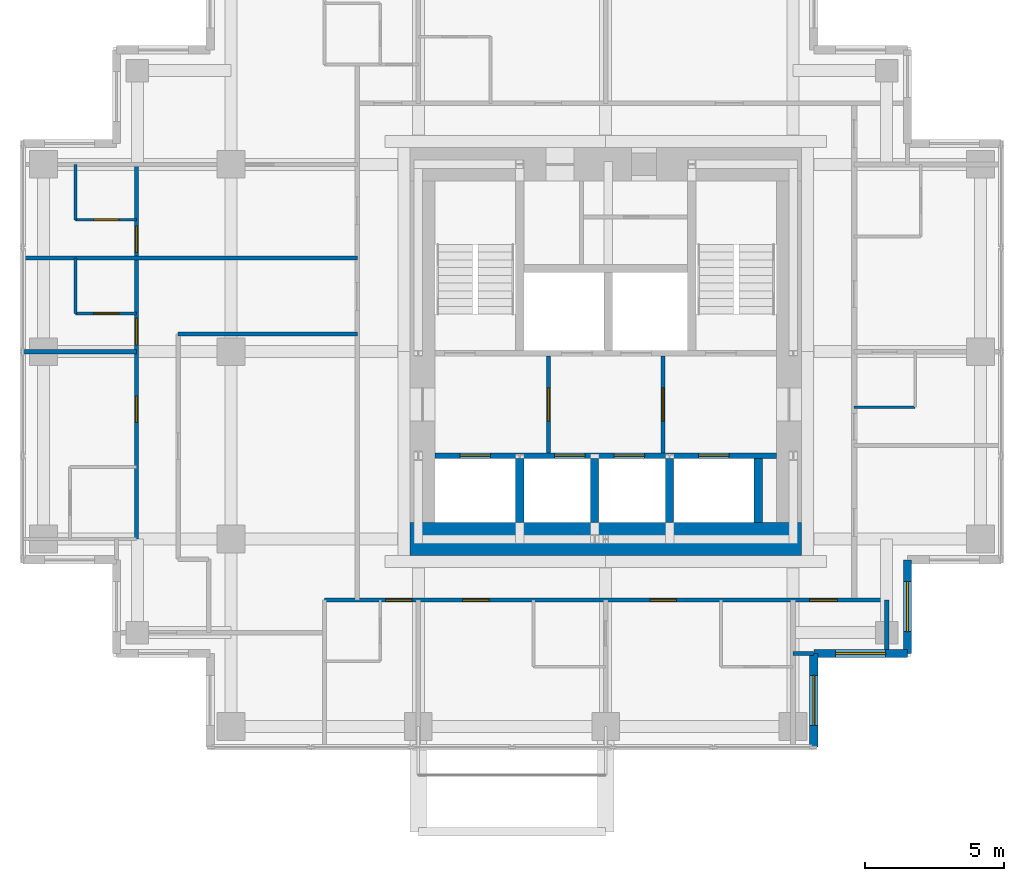
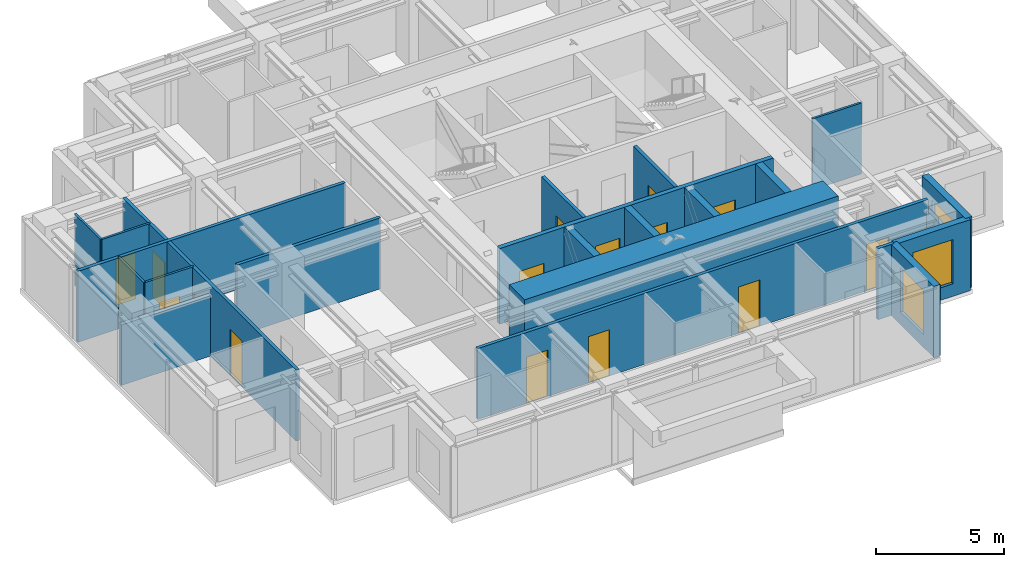
# One storey, part 4 of 8: 23 walls, 15 doors, 3 windows, 18 openings.
"""IFC4 building model written with IfcOpenShell, lengths in metres."""

from ifc_helpers import new_model, si_unit, direction, frame, frame_2d, origin, place, context, subcontext, project, spatial, rectangle, extrude, material, layer, layer_set, type_object, element, fill, save


model = new_model("IFC4")

# Units and contexts
model_context = context("Model", 3, precision=1e-05, world=origin(), true_north=direction((0.0, 1.0)))
body_context = subcontext(model_context, "Body", "Model", "MODEL_VIEW")
ifc_project = project(units=[si_unit("LENGTHUNIT", "METRE"), si_unit("AREAUNIT", "SQUARE_METRE"), si_unit("VOLUMEUNIT", "CUBIC_METRE"), si_unit("PLANEANGLEUNIT", "RADIAN"), si_unit("MASSUNIT", "GRAM", prefix="KILO")], contexts=[model_context])

# Site, building, storey
site_placement = place(None, origin())
site = spatial("IfcSite", under=ifc_project, at=site_placement, CompositionType="ELEMENT")
building_placement = place(site_placement, origin())
building = spatial("IfcBuilding", under=site, at=building_placement, Name="Nyansa Garden Tower", CompositionType="ELEMENT")
storey_placement = place(building_placement, frame((0.0, 0.0, 229.5)))
storey = spatial("IfcBuildingStorey", under=building, at=storey_placement, Name="L62", CompositionType="ELEMENT", Elevation=229.5)

# Wall
ifc_material_1 = material(Name="Dense blockwork, plastered both sides, 55 dB", Category="masonry")
ifc_layer_1 = layer(ifc_material_1, 0.175048828125)
ifc_layer_set_1 = layer_set([ifc_layer_1], Name="Acoustic party wall PW175")
wall_type_1 = type_object("IfcWallType", Name="Acoustic party wall PW175", PredefinedType="PARTITIONING", material=ifc_layer_set_1)
wall_1_placement = place(storey_placement, frame((-0.73388671875, 20.25, 0.0), z_axis=(0.0, 0.0, 1.0), x_axis=(1.0, 0.0, 0.0)))
element("IfcWall", 1, at=wall_1_placement, inside=storey, type_object=wall_type_1, Name="Party wall", PredefinedType="PARTITIONING", context=body_context, shape_type="SweptSolid", body=[
    extrude(rectangle(XDim=4.083984375, YDim=0.175048828125, at=frame_2d((2.0419921875, 0.0))), origin(), (0.0, 0.0, 1.0), 2.876953125),
])

# Wall, openings, doors
ifc_material_2 = material(Name="Concrete C70/85", Category="concrete")
ifc_layer_2 = layer(ifc_material_2, 0.199951171875)
ifc_layer_set_2 = layer_set([ifc_layer_2], Name="Core inner wall CI200")
wall_type_2 = type_object("IfcWallType", Name="Core inner wall CI200", PredefinedType="SHEAR", material=ifc_layer_set_2)
wall_2_placement = place(storey_placement, frame((14.10009765625, 16.5, 0.0), z_axis=(0.0, 0.0, 1.0), x_axis=(1.0, 0.0, 0.0)))
wall_2 = element("IfcWall", 2, at=wall_2_placement, inside=storey, type_object=wall_type_2, Name="Core inner wall L62", PredefinedType="SHEAR", context=body_context, shape_type="SweptSolid", body=[
    extrude(rectangle(XDim=12.2998046875, YDim=0.199951171875, at=frame_2d((6.14990234375, 0.0))), origin(), (0.0, 0.0, 1.0), 3.60009765625),
])
opening_1_placement = place(wall_2_placement, frame((0.89990234375, 0.0, 0.0)))
opening_1 = element("IfcOpeningElement", 3, at=opening_1_placement, cuts=wall_2, Name="Opening LD-F", PredefinedType="OPENING", context=body_context, shape_type="SweptSolid", body=[
    extrude(rectangle(XDim=1.10009765625, YDim=2.199951171875, at=frame_2d((0.550048828125, 1.10009765625))), frame((0.0, 0.10986328125, 0.0), z_axis=(0.0, -1.0, 0.0), x_axis=(1.0, 0.0, 0.0)), (0.0, 0.0, 1.0), 0.219970703125),
])
opening_2_placement = place(wall_2_placement, frame((4.31005859375, 0.0, 0.0)))
opening_2 = element("IfcOpeningElement", 4, at=opening_2_placement, cuts=wall_2, Name="Opening LD-B", PredefinedType="OPENING", context=body_context, shape_type="SweptSolid", body=[
    extrude(rectangle(XDim=1.10009765625, YDim=2.199951171875, at=frame_2d((0.550048828125, 1.10009765625))), frame((0.0, 0.10986328125, 0.0), z_axis=(0.0, -1.0, 0.0), x_axis=(1.0, 0.0, 0.0)), (0.0, 0.0, 1.0), 0.219970703125),
])
opening_3_placement = place(wall_2_placement, frame((6.449951171875, 0.0, 0.0)))
opening_3 = element("IfcOpeningElement", 5, at=opening_3_placement, cuts=wall_2, Name="Opening LD-B", PredefinedType="OPENING", context=body_context, shape_type="SweptSolid", body=[
    extrude(rectangle(XDim=1.10009765625, YDim=2.199951171875, at=frame_2d((0.550048828125, 1.10009765625))), frame((0.0, 0.10986328125, 0.0), z_axis=(0.0, -1.0, 0.0), x_axis=(1.0, 0.0, 0.0)), (0.0, 0.0, 1.0), 0.219970703125),
])
opening_4_placement = place(wall_2_placement, frame((9.5, 0.0, 0.0)))
opening_4 = element("IfcOpeningElement", 6, at=opening_4_placement, cuts=wall_2, Name="Opening LD-F", PredefinedType="OPENING", context=body_context, shape_type="SweptSolid", body=[
    extrude(rectangle(XDim=1.10009765625, YDim=2.199951171875, at=frame_2d((0.550048828125, 1.10009765625))), frame((0.0, 0.10986328125, 0.0), z_axis=(0.0, -1.0, 0.0), x_axis=(1.0, 0.0, 0.0)), (0.0, 0.0, 1.0), 0.219970703125),
])
ifc_material_3 = material(Name="Stainless steel centre-opening landing door of the high-rise lift, E 120", Category="steel")
door_type_1 = type_object("IfcDoorType", Name="Lift landing door LD-B 1100x2200", OperationType="DOUBLE_DOOR_SLIDING", PredefinedType="DOOR", material=ifc_material_3)
door_1_placement = place(opening_2_placement, origin())
door_1 = element("IfcDoor", 7, at=door_1_placement, inside=storey, type_object=door_type_1, Name="Landing door B1", OperationType="DOUBLE_DOOR_SLIDING", OverallHeight=2.199951171875, OverallWidth=1.10009765625, PredefinedType="DOOR", context=body_context, shape_type="SweptSolid", body=[
    extrude(rectangle(XDim=1.10009765625, YDim=2.199951171875, at=frame_2d((0.550048828125, 1.10009765625))), frame((0.0, 0.02490234375, 0.0), z_axis=(0.0, -1.0, 0.0), x_axis=(1.0, 0.0, 0.0)), (0.0, 0.0, 1.0), 0.050048828125),
])
fill(opening_2, door_1)
door_2_placement = place(opening_3_placement, origin())
door_2 = element("IfcDoor", 8, at=door_2_placement, inside=storey, type_object=door_type_1, Name="Landing door B2", OperationType="DOUBLE_DOOR_SLIDING", OverallHeight=2.199951171875, OverallWidth=1.10009765625, PredefinedType="DOOR", context=body_context, shape_type="SweptSolid", body=[
    extrude(rectangle(XDim=1.10009765625, YDim=2.199951171875, at=frame_2d((0.550048828125, 1.10009765625))), frame((0.0, 0.02490234375, 0.0), z_axis=(0.0, -1.0, 0.0), x_axis=(1.0, 0.0, 0.0)), (0.0, 0.0, 1.0), 0.050048828125),
])
fill(opening_3, door_2)
ifc_material_4 = material(Name="Stainless steel centre-opening landing door of the firefighting lift, EN 81-72, E 120", Category="steel")
door_type_2 = type_object("IfcDoorType", Name="Lift landing door LD-F 1100x2200", OperationType="DOUBLE_DOOR_SLIDING", PredefinedType="DOOR", material=ifc_material_4)
door_3_placement = place(opening_1_placement, origin())
door_3 = element("IfcDoor", 9, at=door_3_placement, inside=storey, type_object=door_type_2, Name="Landing door FF1", OperationType="DOUBLE_DOOR_SLIDING", OverallHeight=2.199951171875, OverallWidth=1.10009765625, PredefinedType="DOOR", context=body_context, shape_type="SweptSolid", body=[
    extrude(rectangle(XDim=1.10009765625, YDim=2.199951171875, at=frame_2d((0.550048828125, 1.10009765625))), frame((0.0, 0.02490234375, 0.0), z_axis=(0.0, -1.0, 0.0), x_axis=(1.0, 0.0, 0.0)), (0.0, 0.0, 1.0), 0.050048828125),
])
fill(opening_1, door_3)
door_4_placement = place(opening_4_placement, origin())
door_4 = element("IfcDoor", 10, at=door_4_placement, inside=storey, type_object=door_type_2, Name="Landing door FF2", OperationType="DOUBLE_DOOR_SLIDING", OverallHeight=2.199951171875, OverallWidth=1.10009765625, PredefinedType="DOOR", context=body_context, shape_type="SweptSolid", body=[
    extrude(rectangle(XDim=1.10009765625, YDim=2.199951171875, at=frame_2d((0.550048828125, 1.10009765625))), frame((0.0, 0.02490234375, 0.0), z_axis=(0.0, -1.0, 0.0), x_axis=(1.0, 0.0, 0.0)), (0.0, 0.0, 1.0), 0.050048828125),
])
fill(opening_4, door_4)

# Walls
ifc_material_5 = material(Name="Concrete C70/85", Category="concrete")
ifc_layer_3 = layer(ifc_material_5, 0.300048828125)
ifc_layer_set_3 = layer_set([ifc_layer_3], Name="Core inner wall CI300")
wall_type_3 = type_object("IfcWallType", Name="Core inner wall CI300", PredefinedType="SHEAR", material=ifc_layer_set_3)
for number, where, z_axis, x_axis, name in (
    (11, (17.14990234375, 14.10009765625, 0.0), (0.0, 0.0, 1.0), (0.0, 1.0, 0.0), "Core inner wall L62"),
    (12, (19.85009765625, 14.10009765625, 0.0), (0.0, 0.0, 1.0), (0.0, 1.0, 0.0), "Core inner wall L62"),
    (13, (22.550048828125, 14.10009765625, 0.0), (0.0, 0.0, 1.0), (0.0, 1.0, 0.0), "Core inner wall L62"),
    (14, (25.75, 14.10009765625, 0.0), (0.0, 0.0, 1.0), (0.0, 1.0, 0.0), "Core inner wall L62"),
):
    element("IfcWall", number, at=place(storey_placement, frame(where, z_axis=z_axis, x_axis=x_axis)), inside=storey, type_object=wall_type_3, Name=name, PredefinedType="SHEAR", context=body_context, shape_type="SweptSolid", body=[
        extrude(rectangle(XDim=2.2998046875, YDim=0.300048828125, at=frame_2d((1.14990234375, 0.0))), origin(), (0.0, 0.0, 1.0), 3.60009765625),
    ])
ifc_material_6 = material(Name="Concrete C80/95", Category="concrete")
ifc_layer_4 = layer(ifc_material_6, 1.199951171875)
ifc_layer_set_4 = layer_set([ifc_layer_4], Name="Core wall CW1200")
wall_type_4 = type_object("IfcWallType", Name="Core wall CW1200", PredefinedType="SHEAR", material=ifc_layer_set_4)
wall_3_placement = place(storey_placement, frame((13.199951171875, 13.5, 0.0), z_axis=(0.0, 0.0, 1.0), x_axis=(1.0, 0.0, 0.0)))
element("IfcWall", 15, at=wall_3_placement, inside=storey, type_object=wall_type_4, Name="Core wall S L62", PredefinedType="SHEAR", context=body_context, shape_type="SweptSolid", body=[
    extrude(rectangle(XDim=14.10009765625, YDim=1.199951171875, at=frame_2d((7.050048828125, 0.0))), origin(), (0.0, 0.0, 1.0), 3.60009765625),
])

# Wall, opening, door
ifc_material_7 = material(Name="Blockwork, plastered both sides", Category="masonry")
ifc_layer_5 = layer(ifc_material_7, 0.14990234375)
ifc_layer_set_5 = layer_set([ifc_layer_5], Name="Partition PW150")
wall_type_5 = type_object("IfcWallType", Name="Partition PW150", PredefinedType="PARTITIONING", material=ifc_layer_set_5)
wall_4_placement = place(storey_placement, frame((18.18505859375, 16.60009765625, 0.0), z_axis=(0.0, 0.0, 1.0), x_axis=(0.0, 1.0, 0.0)))
wall_4 = element("IfcWall", 16, at=wall_4_placement, inside=storey, type_object=wall_type_5, Name="Partition", PredefinedType="PARTITIONING", context=body_context, shape_type="SweptSolid", body=[
    extrude(rectangle(XDim=3.5, YDim=0.14990234375, at=frame_2d((1.75, 0.0))), origin(), (0.0, 0.0, 1.0), 3.375),
])
opening_5_placement = place(wall_4_placement, frame((1.14990234375, 0.0, 0.0)))
opening_5 = element("IfcOpeningElement", 17, at=opening_5_placement, cuts=wall_4, Name="Opening D06", PredefinedType="OPENING", context=body_context, shape_type="SweptSolid", body=[
    extrude(rectangle(XDim=1.199951171875, YDim=2.199951171875, at=frame_2d((0.60009765625, 1.10009765625))), frame((0.0, 0.0849609375, 0.0), z_axis=(0.0, -1.0, 0.0), x_axis=(1.0, 0.0, 0.0)), (0.0, 0.0, 1.0), 0.169921875),
])
ifc_material_8 = material(Name="Steel door, 120 minute fire resisting", Category="steel")
door_type_3 = type_object("IfcDoorType", Name="Lobby door D06 1200x2200", OperationType="DOUBLE_DOOR_SINGLE_SWING", PredefinedType="DOOR", material=ifc_material_8)
door_5_placement = place(opening_5_placement, origin())
door_5 = element("IfcDoor", 18, at=door_5_placement, inside=storey, type_object=door_type_3, Name="Passenger lift lobby door", OperationType="DOUBLE_DOOR_SINGLE_SWING", OverallHeight=2.199951171875, OverallWidth=1.199951171875, PredefinedType="DOOR", context=body_context, shape_type="SweptSolid", body=[
    extrude(rectangle(XDim=1.199951171875, YDim=2.199951171875, at=frame_2d((0.60009765625, 1.10009765625))), frame((0.0, 0.02490234375, 0.0), z_axis=(0.0, -1.0, 0.0), x_axis=(1.0, 0.0, 0.0)), (0.0, 0.0, 1.0), 0.050048828125),
])
fill(opening_5, door_5)

wall_5_placement = place(storey_placement, frame((22.31494140625, 16.60009765625, 0.0), z_axis=(0.0, 0.0, 1.0), x_axis=(0.0, 1.0, 0.0)))
wall_5 = element("IfcWall", 19, at=wall_5_placement, inside=storey, type_object=wall_type_5, Name="Partition", PredefinedType="PARTITIONING", context=body_context, shape_type="SweptSolid", body=[
    extrude(rectangle(XDim=3.5, YDim=0.14990234375, at=frame_2d((1.75, 0.0))), origin(), (0.0, 0.0, 1.0), 3.375),
])
opening_6_placement = place(wall_5_placement, frame((1.14990234375, 0.0, 0.0)))
opening_6 = element("IfcOpeningElement", 20, at=opening_6_placement, cuts=wall_5, Name="Opening D06", PredefinedType="OPENING", context=body_context, shape_type="SweptSolid", body=[
    extrude(rectangle(XDim=1.199951171875, YDim=2.199951171875, at=frame_2d((0.60009765625, 1.10009765625))), frame((0.0, 0.0849609375, 0.0), z_axis=(0.0, -1.0, 0.0), x_axis=(1.0, 0.0, 0.0)), (0.0, 0.0, 1.0), 0.169921875),
])
door_6_placement = place(opening_6_placement, origin())
door_6 = element("IfcDoor", 21, at=door_6_placement, inside=storey, type_object=door_type_3, Name="Passenger lift lobby door", OperationType="DOUBLE_DOOR_SINGLE_SWING", OverallHeight=2.199951171875, OverallWidth=1.199951171875, PredefinedType="DOOR", context=body_context, shape_type="SweptSolid", body=[
    extrude(rectangle(XDim=1.199951171875, YDim=2.199951171875, at=frame_2d((0.60009765625, 1.10009765625))), frame((0.0, 0.02490234375, 0.0), z_axis=(0.0, -1.0, 0.0), x_axis=(1.0, 0.0, 0.0)), (0.0, 0.0, 1.0), 0.050048828125),
])
fill(opening_6, door_6)

# Wall
wall_6_placement = place(storey_placement, frame((-0.73388671875, 23.625, 0.0), z_axis=(0.0, 0.0, 1.0), x_axis=(1.0, 0.0, 0.0)))
element("IfcWall", 22, at=wall_6_placement, inside=storey, type_object=wall_type_5, Name="Partition", PredefinedType="PARTITIONING", context=body_context, shape_type="SweptSolid", body=[
    extrude(rectangle(XDim=12.033935546875, YDim=0.14990234375, at=frame_2d((6.01708984375, 0.0))), origin(), (0.0, 0.0, 1.0), 3.375),
])

# Wall, openings, doors
wall_7_placement = place(storey_placement, frame((3.35009765625, 13.5, 0.0), z_axis=(0.0, 0.0, 1.0), x_axis=(0.0, 1.0, 0.0)))
wall_7 = element("IfcWall", 23, at=wall_7_placement, inside=storey, type_object=wall_type_5, Name="Partition", PredefinedType="PARTITIONING", context=body_context, shape_type="SweptSolid", body=[
    extrude(rectangle(XDim=13.5, YDim=0.14990234375, at=frame_2d((6.75, 0.0))), origin(), (0.0, 0.0, 1.0), 3.375),
])
opening_7_placement = place(wall_7_placement, frame((10.324951171875, 0.0, 0.0)))
opening_7 = element("IfcOpeningElement", 24, at=opening_7_placement, cuts=wall_7, Name="Opening D01", PredefinedType="OPENING", context=body_context, shape_type="SweptSolid", body=[
    extrude(rectangle(XDim=0.949951171875, YDim=2.199951171875, at=frame_2d((0.47509765625, 1.10009765625))), frame((0.0, 0.0849609375, 0.0), z_axis=(0.0, -1.0, 0.0), x_axis=(1.0, 0.0, 0.0)), (0.0, 0.0, 1.0), 0.169921875),
])
opening_8_placement = place(wall_7_placement, frame((4.199951171875, 0.0, 0.0)))
opening_8 = element("IfcOpeningElement", 25, at=opening_8_placement, cuts=wall_7, Name="Opening D14", PredefinedType="OPENING", context=body_context, shape_type="SweptSolid", body=[
    extrude(rectangle(XDim=0.949951171875, YDim=2.199951171875, at=frame_2d((0.47509765625, 1.10009765625))), frame((0.0, 0.0849609375, 0.0), z_axis=(0.0, -1.0, 0.0), x_axis=(1.0, 0.0, 0.0)), (0.0, 0.0, 1.0), 0.169921875),
])
opening_9_placement = place(wall_7_placement, frame((7.0, 0.0, 0.0)))
opening_9 = element("IfcOpeningElement", 26, at=opening_9_placement, cuts=wall_7, Name="Opening D14", PredefinedType="OPENING", context=body_context, shape_type="SweptSolid", body=[
    extrude(rectangle(XDim=0.949951171875, YDim=2.199951171875, at=frame_2d((0.47509765625, 1.10009765625))), frame((0.0, 0.0849609375, 0.0), z_axis=(0.0, -1.0, 0.0), x_axis=(1.0, 0.0, 0.0)), (0.0, 0.0, 1.0), 0.169921875),
])
ifc_material_9 = material(Name="Timber flush door, 30 minute fire resisting", Category="wood")
door_type_4 = type_object("IfcDoorType", Name="Bedroom door D01 950x2200", OperationType="SINGLE_SWING_LEFT", PredefinedType="DOOR", material=ifc_material_9)
door_7_placement = place(opening_7_placement, origin())
door_7 = element("IfcDoor", 27, at=door_7_placement, inside=storey, type_object=door_type_4, Name="Door L62-039", OperationType="SINGLE_SWING_LEFT", OverallHeight=2.199951171875, OverallWidth=0.949951171875, PredefinedType="DOOR", context=body_context, shape_type="SweptSolid", body=[
    extrude(rectangle(XDim=0.949951171875, YDim=2.199951171875, at=frame_2d((0.47509765625, 1.10009765625))), frame((0.0, 0.02490234375, 0.0), z_axis=(0.0, -1.0, 0.0), x_axis=(1.0, 0.0, 0.0)), (0.0, 0.0, 1.0), 0.050048828125),
])
fill(opening_7, door_7)
ifc_material_10 = material(Name="Timber flush door, 60 minute fire resisting, self-closing", Category="wood")
door_type_5 = type_object("IfcDoorType", Name="Studio entrance door D14 950x2200", OperationType="SINGLE_SWING_LEFT", PredefinedType="DOOR", material=ifc_material_10)
door_8_placement = place(opening_8_placement, origin())
door_8 = element("IfcDoor", 28, at=door_8_placement, inside=storey, type_object=door_type_5, Name="Door L62-042", OperationType="SINGLE_SWING_LEFT", OverallHeight=2.199951171875, OverallWidth=0.949951171875, PredefinedType="DOOR", context=body_context, shape_type="SweptSolid", body=[
    extrude(rectangle(XDim=0.949951171875, YDim=2.199951171875, at=frame_2d((0.47509765625, 1.10009765625))), frame((0.0, 0.02490234375, 0.0), z_axis=(0.0, -1.0, 0.0), x_axis=(1.0, 0.0, 0.0)), (0.0, 0.0, 1.0), 0.050048828125),
])
fill(opening_8, door_8)
door_9_placement = place(opening_9_placement, origin())
door_9 = element("IfcDoor", 29, at=door_9_placement, inside=storey, type_object=door_type_5, Name="Door L62-044", OperationType="SINGLE_SWING_LEFT", OverallHeight=2.199951171875, OverallWidth=0.949951171875, PredefinedType="DOOR", context=body_context, shape_type="SweptSolid", body=[
    extrude(rectangle(XDim=0.949951171875, YDim=2.199951171875, at=frame_2d((0.47509765625, 1.10009765625))), frame((0.0, 0.02490234375, 0.0), z_axis=(0.0, -1.0, 0.0), x_axis=(1.0, 0.0, 0.0)), (0.0, 0.0, 1.0), 0.050048828125),
])
fill(opening_9, door_9)

# Wall
wall_8_placement = place(storey_placement, frame((4.85009765625, 20.886962890625, 0.0), z_axis=(0.0, 0.0, 1.0), x_axis=(1.0, 0.0, 0.0)))
element("IfcWall", 30, at=wall_8_placement, inside=storey, type_object=wall_type_5, Name="Partition", PredefinedType="PARTITIONING", context=body_context, shape_type="SweptSolid", body=[
    extrude(rectangle(XDim=6.449951171875, YDim=0.14990234375, at=frame_2d((3.22509765625, 0.0))), origin(), (0.0, 0.0, 1.0), 3.375),
])

# Wall, openings, doors
wall_9_placement = place(storey_placement, frame((10.125, 11.300048828125, 0.0), z_axis=(0.0, 0.0, 1.0), x_axis=(1.0, 0.0, 0.0)))
wall_9 = element("IfcWall", 31, at=wall_9_placement, inside=storey, type_object=wall_type_5, Name="Partition", PredefinedType="PARTITIONING", context=body_context, shape_type="SweptSolid", body=[
    extrude(rectangle(XDim=20.25, YDim=0.14990234375, at=frame_2d((10.125, 0.0))), origin(), (0.0, 0.0, 1.0), 3.375),
])
opening_10_placement = place(wall_9_placement, frame((11.72509765625, 0.0, 0.0)))
opening_10 = element("IfcOpeningElement", 32, at=opening_10_placement, cuts=wall_9, Name="Opening D14", PredefinedType="OPENING", context=body_context, shape_type="SweptSolid", body=[
    extrude(rectangle(XDim=0.949951171875, YDim=2.199951171875, at=frame_2d((0.47509765625, 1.10009765625))), frame((0.0, 0.0849609375, 0.0), z_axis=(0.0, -1.0, 0.0), x_axis=(1.0, 0.0, 0.0)), (0.0, 0.0, 1.0), 0.169921875),
])
opening_11_placement = place(wall_9_placement, frame((4.97509765625, 0.0, 0.0)))
opening_11 = element("IfcOpeningElement", 33, at=opening_11_placement, cuts=wall_9, Name="Opening D14", PredefinedType="OPENING", context=body_context, shape_type="SweptSolid", body=[
    extrude(rectangle(XDim=0.949951171875, YDim=2.199951171875, at=frame_2d((0.47509765625, 1.10009765625))), frame((0.0, 0.0849609375, 0.0), z_axis=(0.0, -1.0, 0.0), x_axis=(1.0, 0.0, 0.0)), (0.0, 0.0, 1.0), 0.169921875),
])
opening_12_placement = place(wall_9_placement, frame((2.199951171875, 0.0, 0.0)))
opening_12 = element("IfcOpeningElement", 34, at=opening_12_placement, cuts=wall_9, Name="Opening D14", PredefinedType="OPENING", context=body_context, shape_type="SweptSolid", body=[
    extrude(rectangle(XDim=0.949951171875, YDim=2.199951171875, at=frame_2d((0.47509765625, 1.10009765625))), frame((0.0, 0.0849609375, 0.0), z_axis=(0.0, -1.0, 0.0), x_axis=(1.0, 0.0, 0.0)), (0.0, 0.0, 1.0), 0.169921875),
])
opening_13_placement = place(wall_9_placement, frame((17.47509765625, 0.0, 0.0)))
opening_13 = element("IfcOpeningElement", 35, at=opening_13_placement, cuts=wall_9, Name="Opening D03", PredefinedType="OPENING", context=body_context, shape_type="SweptSolid", body=[
    extrude(rectangle(XDim=1.0, YDim=2.199951171875, at=frame_2d((0.5, 1.10009765625))), frame((0.0, 0.0849609375, 0.0), z_axis=(0.0, -1.0, 0.0), x_axis=(1.0, 0.0, 0.0)), (0.0, 0.0, 1.0), 0.169921875),
])
ifc_material_11 = material(Name="Timber flush door, 60 minute fire resisting", Category="wood")
door_type_6 = type_object("IfcDoorType", Name="Cluster entrance door D03 1000x2200", OperationType="SINGLE_SWING_LEFT", PredefinedType="DOOR", material=ifc_material_11)
door_10_placement = place(opening_13_placement, origin())
door_10 = element("IfcDoor", 36, at=door_10_placement, inside=storey, type_object=door_type_6, Name="Door L62-025", OperationType="SINGLE_SWING_LEFT", OverallHeight=2.199951171875, OverallWidth=1.0, PredefinedType="DOOR", context=body_context, shape_type="SweptSolid", body=[
    extrude(rectangle(XDim=1.0, YDim=2.199951171875, at=frame_2d((0.5, 1.10009765625))), frame((0.0, 0.02490234375, 0.0), z_axis=(0.0, -1.0, 0.0), x_axis=(1.0, 0.0, 0.0)), (0.0, 0.0, 1.0), 0.050048828125),
])
fill(opening_13, door_10)
door_11_placement = place(opening_10_placement, origin())
door_11 = element("IfcDoor", 37, at=door_11_placement, inside=storey, type_object=door_type_5, Name="Door L62-019", OperationType="SINGLE_SWING_LEFT", OverallHeight=2.199951171875, OverallWidth=0.949951171875, PredefinedType="DOOR", context=body_context, shape_type="SweptSolid", body=[
    extrude(rectangle(XDim=0.949951171875, YDim=2.199951171875, at=frame_2d((0.47509765625, 1.10009765625))), frame((0.0, 0.02490234375, 0.0), z_axis=(0.0, -1.0, 0.0), x_axis=(1.0, 0.0, 0.0)), (0.0, 0.0, 1.0), 0.050048828125),
])
fill(opening_10, door_11)
door_12_placement = place(opening_11_placement, origin())
door_12 = element("IfcDoor", 38, at=door_12_placement, inside=storey, type_object=door_type_5, Name="Door L62-021", OperationType="SINGLE_SWING_LEFT", OverallHeight=2.199951171875, OverallWidth=0.949951171875, PredefinedType="DOOR", context=body_context, shape_type="SweptSolid", body=[
    extrude(rectangle(XDim=0.949951171875, YDim=2.199951171875, at=frame_2d((0.47509765625, 1.10009765625))), frame((0.0, 0.02490234375, 0.0), z_axis=(0.0, -1.0, 0.0), x_axis=(1.0, 0.0, 0.0)), (0.0, 0.0, 1.0), 0.050048828125),
])
fill(opening_11, door_12)
door_13_placement = place(opening_12_placement, origin())
door_13 = element("IfcDoor", 39, at=door_13_placement, inside=storey, type_object=door_type_5, Name="Door L62-023", OperationType="SINGLE_SWING_LEFT", OverallHeight=2.199951171875, OverallWidth=0.949951171875, PredefinedType="DOOR", context=body_context, shape_type="SweptSolid", body=[
    extrude(rectangle(XDim=0.949951171875, YDim=2.199951171875, at=frame_2d((0.47509765625, 1.10009765625))), frame((0.0, 0.02490234375, 0.0), z_axis=(0.0, -1.0, 0.0), x_axis=(1.0, 0.0, 0.0)), (0.0, 0.0, 1.0), 0.050048828125),
])
fill(opening_12, door_13)

# Walls
wall_10_placement = place(storey_placement, frame((27.0, 9.375, 0.0), z_axis=(0.0, 0.0, 1.0), x_axis=(1.0, 0.0, 0.0)))
element("IfcWall", 40, at=wall_10_placement, inside=storey, type_object=wall_type_5, Name="Partition", PredefinedType="PARTITIONING", context=body_context, shape_type="SweptSolid", body=[
    extrude(rectangle(XDim=0.73388671875, YDim=0.14990234375, at=frame_2d((0.366943359375, 0.0))), origin(), (0.0, 0.0, 1.0), 3.375),
])
wall_11_placement = place(storey_placement, frame((30.375, 9.52490234375, 0.0), z_axis=(0.0, 0.0, 1.0), x_axis=(0.0, 1.0, 0.0)))
element("IfcWall", 41, at=wall_11_placement, inside=storey, type_object=wall_type_5, Name="Partition", PredefinedType="PARTITIONING", context=body_context, shape_type="SweptSolid", body=[
    extrude(rectangle(XDim=1.775146484375, YDim=0.14990234375, at=frame_2d((0.8876953125, 0.0))), origin(), (0.0, 0.0, 1.0), 2.876953125),
])

# Wall, opening, window
ifc_material_12 = material(Name="Turquoise glazed tile on concrete blockwork", Category="masonry")
ifc_layer_6 = layer(ifc_material_12, 0.300048828125)
ifc_layer_set_6 = layer_set([ifc_layer_6], Name="Tiled corner wall TW300")
wall_type_6 = type_object("IfcWallType", Name="Tiled corner wall TW300", PredefinedType="SOLIDWALL", material=ifc_layer_set_6)
wall_12_placement = place(storey_placement, frame((27.75, 6.0, 0.0), z_axis=(0.0, 0.0, 1.0), x_axis=(0.0, 1.0, 0.0)))
wall_12 = element("IfcWall", 42, at=wall_12_placement, inside=storey, type_object=wall_type_6, Name="Tiled corner wall L62", PredefinedType="SOLIDWALL", context=body_context, shape_type="SweptSolid", body=[
    extrude(rectangle(XDim=3.375, YDim=0.300048828125, at=frame_2d((1.6875, 0.0))), origin(), (0.0, 0.0, 1.0), 3.375),
])
opening_14_placement = place(wall_12_placement, frame((0.78759765625, 0.0, 0.60009765625)))
opening_14 = element("IfcOpeningElement", 43, at=opening_14_placement, cuts=wall_12, Name="Opening W2", PredefinedType="OPENING", context=body_context, shape_type="SweptSolid", body=[
    extrude(rectangle(XDim=1.800048828125, YDim=2.10009765625, at=frame_2d((0.89990234375, 1.050048828125))), frame((0.0, 0.159912109375, 0.0), z_axis=(0.0, -1.0, 0.0), x_axis=(1.0, 0.0, 0.0)), (0.0, 0.0, 1.0), 0.320068359375),
])
ifc_material_13 = material(Name="Black aluminium frame, dark tinted double glazing", Category="aluminium")
window_type = type_object("IfcWindowType", Name="Window W2 1800x2100", PartitioningType="SINGLE_PANEL", PredefinedType="WINDOW", material=ifc_material_13)
window_1_placement = place(opening_14_placement, origin())
window_1 = element("IfcWindow", 44, at=window_1_placement, inside=storey, type_object=window_type, Name="Corner window L62", OverallHeight=2.10009765625, OverallWidth=1.800048828125, PartitioningType="SINGLE_PANEL", PredefinedType="WINDOW", context=body_context, shape_type="SweptSolid", body=[
    extrude(rectangle(XDim=1.800048828125, YDim=2.10009765625, at=frame_2d((0.89990234375, 1.050048828125))), frame((0.0, 0.030029296875, 0.0), z_axis=(0.0, -1.0, 0.0), x_axis=(1.0, 0.0, 0.0)), (0.0, 0.0, 1.0), 0.06005859375),
])
fill(opening_14, window_1)

wall_13_placement = place(storey_placement, frame((27.75, 9.375, 0.0), z_axis=(0.0, 0.0, 1.0), x_axis=(1.0, 0.0, 0.0)))
wall_13 = element("IfcWall", 45, at=wall_13_placement, inside=storey, type_object=wall_type_6, Name="Tiled corner wall L62", PredefinedType="SOLIDWALL", context=body_context, shape_type="SweptSolid", body=[
    extrude(rectangle(XDim=3.375, YDim=0.300048828125, at=frame_2d((1.6875, 0.0))), origin(), (0.0, 0.0, 1.0), 3.375),
])
opening_15_placement = place(wall_13_placement, frame((0.78759765625, 0.0, 0.60009765625)))
opening_15 = element("IfcOpeningElement", 46, at=opening_15_placement, cuts=wall_13, Name="Opening W2", PredefinedType="OPENING", context=body_context, shape_type="SweptSolid", body=[
    extrude(rectangle(XDim=1.800048828125, YDim=2.10009765625, at=frame_2d((0.89990234375, 1.050048828125))), frame((0.0, 0.159912109375, 0.0), z_axis=(0.0, -1.0, 0.0), x_axis=(1.0, 0.0, 0.0)), (0.0, 0.0, 1.0), 0.320068359375),
])
window_2_placement = place(opening_15_placement, origin())
window_2 = element("IfcWindow", 47, at=window_2_placement, inside=storey, type_object=window_type, Name="Corner window L62", OverallHeight=2.10009765625, OverallWidth=1.800048828125, PartitioningType="SINGLE_PANEL", PredefinedType="WINDOW", context=body_context, shape_type="SweptSolid", body=[
    extrude(rectangle(XDim=1.800048828125, YDim=2.10009765625, at=frame_2d((0.89990234375, 1.050048828125))), frame((0.0, 0.030029296875, 0.0), z_axis=(0.0, -1.0, 0.0), x_axis=(1.0, 0.0, 0.0)), (0.0, 0.0, 1.0), 0.06005859375),
])
fill(opening_15, window_2)

wall_14_placement = place(storey_placement, frame((31.125, 9.375, 0.0), z_axis=(0.0, 0.0, 1.0), x_axis=(0.0, 1.0, 0.0)))
wall_14 = element("IfcWall", 48, at=wall_14_placement, inside=storey, type_object=wall_type_6, Name="Tiled corner wall L62", PredefinedType="SOLIDWALL", context=body_context, shape_type="SweptSolid", body=[
    extrude(rectangle(XDim=3.375, YDim=0.300048828125, at=frame_2d((1.6875, 0.0))), origin(), (0.0, 0.0, 1.0), 3.375),
])
opening_16_placement = place(wall_14_placement, frame((0.78759765625, 0.0, 0.60009765625)))
opening_16 = element("IfcOpeningElement", 49, at=opening_16_placement, cuts=wall_14, Name="Opening W2", PredefinedType="OPENING", context=body_context, shape_type="SweptSolid", body=[
    extrude(rectangle(XDim=1.800048828125, YDim=2.10009765625, at=frame_2d((0.89990234375, 1.050048828125))), frame((0.0, 0.159912109375, 0.0), z_axis=(0.0, -1.0, 0.0), x_axis=(1.0, 0.0, 0.0)), (0.0, 0.0, 1.0), 0.320068359375),
])
window_3_placement = place(opening_16_placement, origin())
window_3 = element("IfcWindow", 50, at=window_3_placement, inside=storey, type_object=window_type, Name="Corner window L62", OverallHeight=2.10009765625, OverallWidth=1.800048828125, PartitioningType="SINGLE_PANEL", PredefinedType="WINDOW", context=body_context, shape_type="SweptSolid", body=[
    extrude(rectangle(XDim=1.800048828125, YDim=2.10009765625, at=frame_2d((0.89990234375, 1.050048828125))), frame((0.0, 0.030029296875, 0.0), z_axis=(0.0, -1.0, 0.0), x_axis=(1.0, 0.0, 0.0)), (0.0, 0.0, 1.0), 0.06005859375),
])
fill(opening_16, window_3)

# Wall
ifc_material_14 = material(Name="Moisture resistant board on steel studs, tiled", Category="steel")
ifc_layer_7 = layer(ifc_material_14, 0.10009765625)
ifc_layer_set_7 = layer_set([ifc_layer_7], Name="Wet wall PW100")
wall_type_7 = type_object("IfcWallType", Name="Wet wall PW100", PredefinedType="PARTITIONING", material=ifc_layer_set_7)
wall_15_placement = place(storey_placement, frame((1.14990234375, 21.625, 0.0), z_axis=(0.0, 0.0, 1.0), x_axis=(0.0, 1.0, 0.0)))
element("IfcWall", 51, at=wall_15_placement, inside=storey, type_object=wall_type_7, Name="Wet wall", PredefinedType="PARTITIONING", context=body_context, shape_type="SweptSolid", body=[
    extrude(rectangle(XDim=2.0, YDim=0.10009765625, at=frame_2d((1.0, 0.0))), origin(), (0.0, 0.0, 1.0), 3.375),
])

# Wall, opening, door
wall_16_placement = place(storey_placement, frame((1.14990234375, 21.625, 0.0), z_axis=(0.0, 0.0, 1.0), x_axis=(1.0, 0.0, 0.0)))
wall_16 = element("IfcWall", 52, at=wall_16_placement, inside=storey, type_object=wall_type_7, Name="Wet wall", PredefinedType="PARTITIONING", context=body_context, shape_type="SweptSolid", body=[
    extrude(rectangle(XDim=2.2001953125, YDim=0.10009765625, at=frame_2d((1.10009765625, 0.0))), origin(), (0.0, 0.0, 1.0), 3.375),
])
opening_17_placement = place(wall_16_placement, frame((0.64990234375, 0.0, 0.0)))
opening_17 = element("IfcOpeningElement", 53, at=opening_17_placement, cuts=wall_16, Name="Opening D02", PredefinedType="OPENING", context=body_context, shape_type="SweptSolid", body=[
    extrude(rectangle(XDim=0.89990234375, YDim=2.199951171875, at=frame_2d((0.449951171875, 1.10009765625))), frame((0.0, 0.06005859375, 0.0), z_axis=(0.0, -1.0, 0.0), x_axis=(1.0, 0.0, 0.0)), (0.0, 0.0, 1.0), 0.1201171875),
])
ifc_material_15 = material(Name="Timber flush door", Category="wood")
door_type_7 = type_object("IfcDoorType", Name="En-suite door D02 900x2200", OperationType="SINGLE_SWING_RIGHT", PredefinedType="DOOR", material=ifc_material_15)
door_14_placement = place(opening_17_placement, origin())
door_14 = element("IfcDoor", 54, at=door_14_placement, inside=storey, type_object=door_type_7, Name="Door L62-045", OperationType="SINGLE_SWING_RIGHT", OverallHeight=2.199951171875, OverallWidth=0.89990234375, PredefinedType="DOOR", context=body_context, shape_type="SweptSolid", body=[
    extrude(rectangle(XDim=0.89990234375, YDim=2.199951171875, at=frame_2d((0.449951171875, 1.10009765625))), frame((0.0, 0.02490234375, 0.0), z_axis=(0.0, -1.0, 0.0), x_axis=(1.0, 0.0, 0.0)), (0.0, 0.0, 1.0), 0.050048828125),
])
fill(opening_17, door_14)

# Wall
wall_17_placement = place(storey_placement, frame((1.14990234375, 25.0, 0.0), z_axis=(0.0, 0.0, 1.0), x_axis=(0.0, 1.0, 0.0)))
element("IfcWall", 55, at=wall_17_placement, inside=storey, type_object=wall_type_7, Name="Wet wall", PredefinedType="PARTITIONING", context=body_context, shape_type="SweptSolid", body=[
    extrude(rectangle(XDim=2.0, YDim=0.10009765625, at=frame_2d((1.0, 0.0))), origin(), (0.0, 0.0, 1.0), 3.375),
])

# Wall, opening, door
wall_18_placement = place(storey_placement, frame((1.14990234375, 25.0, 0.0), z_axis=(0.0, 0.0, 1.0), x_axis=(1.0, 0.0, 0.0)))
wall_18 = element("IfcWall", 56, at=wall_18_placement, inside=storey, type_object=wall_type_7, Name="Wet wall", PredefinedType="PARTITIONING", context=body_context, shape_type="SweptSolid", body=[
    extrude(rectangle(XDim=2.2001953125, YDim=0.10009765625, at=frame_2d((1.10009765625, 0.0))), origin(), (0.0, 0.0, 1.0), 3.375),
])
opening_18_placement = place(wall_18_placement, frame((0.64990234375, 0.0, 0.0)))
opening_18 = element("IfcOpeningElement", 57, at=opening_18_placement, cuts=wall_18, Name="Opening D02", PredefinedType="OPENING", context=body_context, shape_type="SweptSolid", body=[
    extrude(rectangle(XDim=0.89990234375, YDim=2.199951171875, at=frame_2d((0.449951171875, 1.10009765625))), frame((0.0, 0.06005859375, 0.0), z_axis=(0.0, -1.0, 0.0), x_axis=(1.0, 0.0, 0.0)), (0.0, 0.0, 1.0), 0.1201171875),
])
door_15_placement = place(opening_18_placement, origin())
door_15 = element("IfcDoor", 58, at=door_15_placement, inside=storey, type_object=door_type_7, Name="Door L62-040", OperationType="SINGLE_SWING_RIGHT", OverallHeight=2.199951171875, OverallWidth=0.89990234375, PredefinedType="DOOR", context=body_context, shape_type="SweptSolid", body=[
    extrude(rectangle(XDim=0.89990234375, YDim=2.199951171875, at=frame_2d((0.449951171875, 1.10009765625))), frame((0.0, 0.02490234375, 0.0), z_axis=(0.0, -1.0, 0.0), x_axis=(1.0, 0.0, 0.0)), (0.0, 0.0, 1.0), 0.050048828125),
])
fill(opening_18, door_15)

# Wall
wall_19_placement = place(storey_placement, frame((29.199951171875, 18.25, 0.0), z_axis=(0.0, 0.0, 1.0), x_axis=(1.0, 0.0, 0.0)))
element("IfcWall", 59, at=wall_19_placement, inside=storey, type_object=wall_type_7, Name="Wet wall", PredefinedType="PARTITIONING", context=body_context, shape_type="SweptSolid", body=[
    extrude(rectangle(XDim=2.199951171875, YDim=0.10009765625, at=frame_2d((1.10009765625, 0.0))), origin(), (0.0, 0.0, 1.0), 3.375),
])

save(model, "model.ifc")
